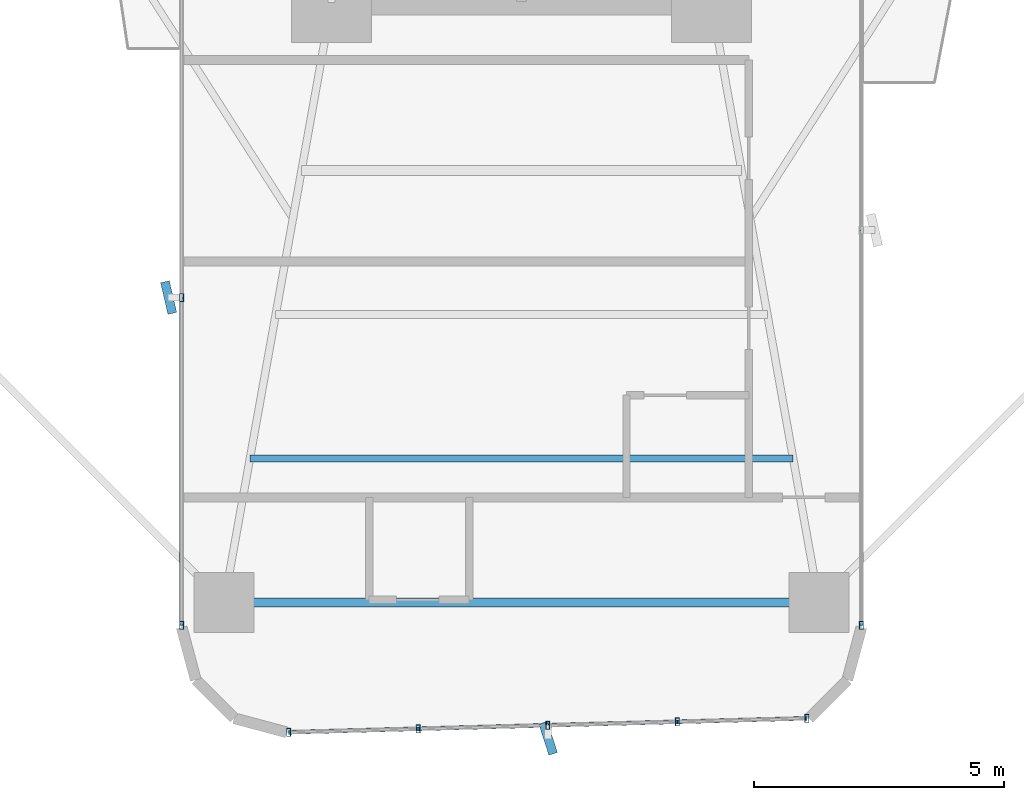
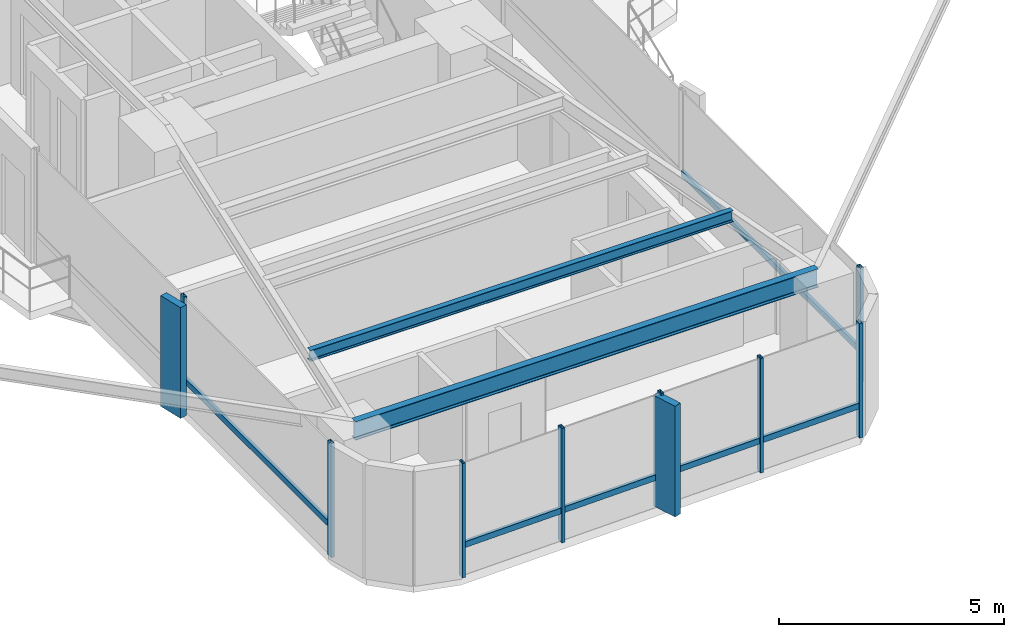
# One storey, part 2 of 26: 16 members, 2 beams, 3 elements without a shape of their own.
"""IFC4 building model written with IfcOpenShell, lengths in metres."""

from ifc_helpers import new_model, si_unit, direction, frame, origin, origin_2d, place, context, subcontext, project, spatial, rectangle, hollow_rectangle, i_section, extrude, source, transform, mapped, material, material_profile, profile_set, type_object, element, aggregate, save


model = new_model("IFC4")

# Units and contexts
model_context = context("Model", 3, precision=1e-05, world=origin(), true_north=direction((0.0, 1.0)))
body_context = subcontext(model_context, "Body", "Model", "MODEL_VIEW")
ifc_project = project(units=[si_unit("LENGTHUNIT", "METRE"), si_unit("AREAUNIT", "SQUARE_METRE"), si_unit("VOLUMEUNIT", "CUBIC_METRE"), si_unit("PLANEANGLEUNIT", "RADIAN"), si_unit("MASSUNIT", "GRAM", prefix="KILO")], contexts=[model_context])

# Site, building, storey
site_placement = place(None, origin())
site = spatial("IfcSite", under=ifc_project, at=site_placement, CompositionType="ELEMENT")
building_placement = place(site_placement, origin())
building = spatial("IfcBuilding", under=site, at=building_placement, Name="Sahyath Konkavel Grand Hotel", CompositionType="ELEMENT")
storey_placement = place(building_placement, frame((0.0, 0.0, 29.800048828125)))
storey = spatial("IfcBuildingStorey", under=building, at=storey_placement, Name="L07", CompositionType="ELEMENT", Elevation=29.800048828125)

# Beams
ifc_material_1 = material(Name="Steel E350", Category="steel")
ifc_material_profile_1 = material_profile(ifc_material_1, i_section(OverallWidth=0.179931640625, OverallDepth=0.5, WebThickness=0.01025390625, FlangeThickness=0.01708984375, FilletRadius=0.01708984375, at=origin_2d()), Name="ISMB 500")
ifc_profile_set_1 = profile_set([ifc_material_profile_1], Name="Steel E350")
beam_type_1 = type_object("IfcBeamType", Name="BM-ISMB500", PredefinedType="BEAM", material=ifc_profile_set_1)
shared_shape_1 = source(origin(), body_context, "Body", "SweptSolid", [
    extrude(i_section(OverallWidth=0.179931640625, OverallDepth=0.5, WebThickness=0.01025390625, FlangeThickness=0.01708984375, FilletRadius=0.01708984375, at=origin_2d()), origin(), (0.0, 0.0, 1.0), 11.89990234375),
])
beam_1_placement = place(storey_placement, frame((-5.949951171875, -22.199951171875, 2.85986328125), z_axis=(1.0, 0.0, 0.0), x_axis=(0.0, 1.0, 0.0)))
element("IfcBeam", 1, at=beam_1_placement, inside=storey, type_object=beam_type_1, Name="L07 Wing Tip Edge Beam S", PredefinedType="BEAM", context=body_context, shape_type="MappedRepresentation", body=[
    mapped(shared_shape_1, transform((0.0, 0.0, 0.0), scale=1.0)),
])
ifc_material_profile_2 = material_profile(ifc_material_1, i_section(OverallWidth=0.139892578125, OverallDepth=0.300048828125, WebThickness=0.0078125, FlangeThickness=0.01318359375, FilletRadius=0.013916015625, at=origin_2d()), Name="ISMB 300")
ifc_profile_set_2 = profile_set([ifc_material_profile_2], Name="Steel E350")
beam_type_2 = type_object("IfcBeamType", Name="BM-ISMB300", PredefinedType="BEAM", material=ifc_profile_set_2)
shared_shape_2 = source(origin(), body_context, "Body", "SweptSolid", [
    extrude(i_section(OverallWidth=0.139892578125, OverallDepth=0.300048828125, WebThickness=0.0078125, FlangeThickness=0.01318359375, FilletRadius=0.013916015625, at=origin_2d()), origin(), (0.0, 0.0, 1.0), 10.8681640625),
])
beam_2_placement = place(storey_placement, frame((-5.43408203125, -19.320068359375, 2.9599609375), z_axis=(1.0, 0.0, 0.0), x_axis=(0.0, 1.0, 0.0)))
element("IfcBeam", 2, at=beam_2_placement, inside=storey, type_object=beam_type_2, Name="L07 Secondary Floor Beam S-3", PredefinedType="BEAM", context=body_context, shape_type="MappedRepresentation", body=[
    mapped(shared_shape_2, transform((0.0, 0.0, 0.0), scale=1.0)),
])

# Curtain wall, members
ifc_material_2 = material(Name="Anodised Bronze Aluminium & Low-E Glazing", Category="aluminium")
curtain_wall_type = type_object("IfcCurtainWallType", Name="CW-ZONE1", PredefinedType="NOTDEFINED", material=ifc_material_2)
curtain_wall_1_placement = place(storey_placement, origin())
curtain_wall_1 = element("IfcCurtainWall", 3, at=curtain_wall_1_placement, inside=storey, type_object=curtain_wall_type, Name="L07 Unitised Curtain Wall F24", PredefinedType="NOTDEFINED")
ifc_material_3 = material(Name="Anodised Bronze Aluminium", Category="aluminium")
ifc_material_profile_3 = material_profile(ifc_material_3, hollow_rectangle(XDim=0.080078125, YDim=0.159912109375, WallThickness=0.006103515625, at=origin_2d()), Name="RHS 160x80x6")
ifc_profile_set_3 = profile_set([ifc_material_profile_3], Name="Anodised Bronze Aluminium")
member_type_1 = type_object("IfcMemberType", Name="CW-MUL-160", PredefinedType="MULLION", material=ifc_profile_set_3)
shared_shape_3 = source(origin(), body_context, "Body", "SweptSolid", [
    extrude(hollow_rectangle(XDim=0.080078125, YDim=0.159912109375, WallThickness=0.006103515625, at=origin_2d()), origin(), (0.0, 0.0, 1.0), 3.10986328125),
])
member_1_placement = place(storey_placement, frame((-6.800048828125, -16.10009765625, 0.0), z_axis=(0.0, 0.0, 1.0), x_axis=(1.0, 0.0, 0.0)))
member_1 = element("IfcMember", 4, at=member_1_placement, type_object=member_type_1, Name="L07 Curtain Wall Mullion F24-1", PredefinedType="MULLION", context=body_context, shape_type="MappedRepresentation", body=[
    mapped(shared_shape_3, transform((0.0, 0.0, 0.0), scale=1.0)),
])
member_2_placement = place(storey_placement, frame((-6.800048828125, -22.659912109375, 0.0), z_axis=(0.0, 0.0, 1.0), x_axis=(1.0, 0.0, 0.0)))
member_2 = element("IfcMember", 5, at=member_2_placement, type_object=member_type_1, Name="L07 Curtain Wall Mullion F24-2", PredefinedType="MULLION", context=body_context, shape_type="MappedRepresentation", body=[
    mapped(shared_shape_3, transform((0.0, 0.0, 0.0), scale=1.0)),
])

curtain_wall_2_placement = place(storey_placement, origin())
curtain_wall_2 = element("IfcCurtainWall", 6, at=curtain_wall_2_placement, inside=storey, type_object=curtain_wall_type, Name="L07 Unitised Curtain Wall F28", PredefinedType="NOTDEFINED")
member_3_placement = place(storey_placement, frame((-4.659912109375, -24.798828125, 0.0), z_axis=(0.0, 0.0, 1.0), x_axis=(1.0, 0.0, 0.0)))
member_3 = element("IfcMember", 7, at=member_3_placement, type_object=member_type_1, Name="L07 Curtain Wall Mullion F28-0", PredefinedType="MULLION", context=body_context, shape_type="MappedRepresentation", body=[
    mapped(shared_shape_3, transform((0.0, 0.0, 0.0), scale=1.0)),
])
member_4_placement = place(storey_placement, frame((-2.0673828125, -24.72900390625, 0.0), z_axis=(0.0, 0.0, 1.0), x_axis=(1.0, 0.0, 0.0)))
member_4 = element("IfcMember", 8, at=member_4_placement, type_object=member_type_1, Name="L07 Curtain Wall Mullion F28-1", PredefinedType="MULLION", context=body_context, shape_type="MappedRepresentation", body=[
    mapped(shared_shape_3, transform((0.0, 0.0, 0.0), scale=1.0)),
])
member_5_placement = place(storey_placement, frame((0.52490234375, -24.6591796875, 0.0), z_axis=(0.0, 0.0, 1.0), x_axis=(1.0, 0.0, 0.0)))
member_5 = element("IfcMember", 9, at=member_5_placement, type_object=member_type_1, Name="L07 Curtain Wall Mullion F28-2", PredefinedType="MULLION", context=body_context, shape_type="MappedRepresentation", body=[
    mapped(shared_shape_3, transform((0.0, 0.0, 0.0), scale=1.0)),
])
member_6_placement = place(storey_placement, frame((3.117431640625, -24.589599609375, 0.0), z_axis=(0.0, 0.0, 1.0), x_axis=(1.0, 0.0, 0.0)))
member_6 = element("IfcMember", 10, at=member_6_placement, type_object=member_type_1, Name="L07 Curtain Wall Mullion F28-3", PredefinedType="MULLION", context=body_context, shape_type="MappedRepresentation", body=[
    mapped(shared_shape_3, transform((0.0, 0.0, 0.0), scale=1.0)),
])
member_7_placement = place(storey_placement, frame((5.7099609375, -24.519775390625, 0.0), z_axis=(0.0, 0.0, 1.0), x_axis=(1.0, 0.0, 0.0)))
member_7 = element("IfcMember", 11, at=member_7_placement, type_object=member_type_1, Name="L07 Curtain Wall Mullion F28-4", PredefinedType="MULLION", context=body_context, shape_type="MappedRepresentation", body=[
    mapped(shared_shape_3, transform((0.0, 0.0, 0.0), scale=1.0)),
])

# Curtain wall, member
curtain_wall_3_placement = place(storey_placement, origin())
curtain_wall_3 = element("IfcCurtainWall", 12, at=curtain_wall_3_placement, inside=storey, type_object=curtain_wall_type, Name="L07 Unitised Curtain Wall F31", PredefinedType="NOTDEFINED")
member_8_placement = place(storey_placement, frame((6.800048828125, -22.659912109375, 0.0), z_axis=(0.0, 0.0, 1.0), x_axis=(1.0, 0.0, 0.0)))
member_8 = element("IfcMember", 13, at=member_8_placement, type_object=member_type_1, Name="L07 Curtain Wall Mullion F31-0", PredefinedType="MULLION", context=body_context, shape_type="MappedRepresentation", body=[
    mapped(shared_shape_3, transform((0.0, 0.0, 0.0), scale=1.0)),
])

# Member
ifc_material_4 = material(Name="Warm Buff Sandstone Cladding on Concrete C50/60", Category="masonry")
ifc_material_profile_4 = material_profile(ifc_material_4, rectangle(XDim=0.179931640625, YDim=0.64990234375, at=origin_2d()), Name="FIN 180x650")
ifc_profile_set_4 = profile_set([ifc_material_profile_4], Name="Warm Buff Sandstone Cladding on Concrete C50/60")
member_type_2 = type_object("IfcMemberType", Name="FIN-SANDSTONE-650", PredefinedType="MULLION", material=ifc_profile_set_4)
shared_shape_4 = source(origin(), body_context, "Body", "SweptSolid", [
    extrude(rectangle(XDim=0.179931640625, YDim=0.64990234375, at=origin_2d()), origin(), (0.0, 0.0, 1.0), 3.010009765625),
])
member_9_placement = place(storey_placement, frame((-7.06005859375, -16.10009765625, 0.050048828125), z_axis=(0.0, 0.0, 1.0), x_axis=(0.973896791711, 0.226991275371, 0.0)))
member_9 = element("IfcMember", 14, at=member_9_placement, type_object=member_type_2, Name="L07 Sandstone Vertical Solar Fin FIN F24-1", PredefinedType="MULLION", context=body_context, shape_type="MappedRepresentation", body=[
    mapped(shared_shape_4, transform((0.0, 0.0, 0.0), scale=1.0)),
])

member_10_placement = place(storey_placement, frame((0.531982421875, -24.919189453125, 0.050048828125), z_axis=(0.0, 0.0, 1.0), x_axis=(0.951110435449, 0.308850998993, 0.0)))
member_10 = element("IfcMember", 15, at=member_10_placement, type_object=member_type_2, Name="L07 Sandstone Vertical Solar Fin FIN F28-2", PredefinedType="MULLION", context=body_context, shape_type="MappedRepresentation", body=[
    mapped(shared_shape_4, transform((0.0, 0.0, 0.0), scale=1.0)),
])

ifc_material_profile_5 = material_profile(ifc_material_3, hollow_rectangle(XDim=0.080078125, YDim=0.159912109375, WallThickness=0.006103515625, at=origin_2d()), Name="RHS 160x80x6")
ifc_profile_set_5 = profile_set([ifc_material_profile_5], Name="Anodised Bronze Aluminium")
member_type_3 = type_object("IfcMemberType", Name="CW-TRN-160", PredefinedType="USERDEFINED", material=ifc_profile_set_5)
shared_shape_5 = source(origin(), body_context, "Body", "SweptSolid", [
    extrude(hollow_rectangle(XDim=0.080078125, YDim=0.159912109375, WallThickness=0.006103515625, at=origin_2d()), origin(), (0.0, 0.0, 1.0), 7.909912109375),
])
member_11_placement = place(storey_placement, frame((6.800048828125, -22.659912109375, 0.849853515625), z_axis=(0.0, 1.0, 0.0), x_axis=(-1.0, 0.0, 0.0)))
member_11 = element("IfcMember", 16, at=member_11_placement, type_object=member_type_3, Name="L07 Curtain Wall Transom F31-0-spandrel", ObjectType="TRANSOM", PredefinedType="USERDEFINED", context=body_context, shape_type="MappedRepresentation", body=[
    mapped(shared_shape_5, transform((0.0, 0.0, 0.0), scale=1.0)),
])

aggregate(curtain_wall_3, [member_8, member_11])

shared_shape_6 = source(origin(), body_context, "Body", "SweptSolid", [
    extrude(hollow_rectangle(XDim=0.080078125, YDim=0.159912109375, WallThickness=0.006103515625, at=origin_2d()), origin(), (0.0, 0.0, 1.0), 2.593505859375),
])
member_12_placement = place(storey_placement, frame((-4.659912109375, -24.798828125, 0.849853515625), z_axis=(0.999637507825, 0.026923093252, 0.0), x_axis=(-0.026923093252, 0.999637507825, 0.0)))
member_12 = element("IfcMember", 17, at=member_12_placement, type_object=member_type_3, Name="L07 Curtain Wall Transom F28-0-spandrel", ObjectType="TRANSOM", PredefinedType="USERDEFINED", context=body_context, shape_type="MappedRepresentation", body=[
    mapped(shared_shape_6, transform((0.0, 0.0, 0.0), scale=1.0)),
])

member_13_placement = place(storey_placement, frame((0.52490234375, -24.6591796875, 0.849853515625), z_axis=(0.999640036937, 0.02682902444, 0.0), x_axis=(-0.02682902444, 0.999640036937, 0.0)))
member_13 = element("IfcMember", 18, at=member_13_placement, type_object=member_type_3, Name="L07 Curtain Wall Transom F28-2-spandrel", ObjectType="TRANSOM", PredefinedType="USERDEFINED", context=body_context, shape_type="MappedRepresentation", body=[
    mapped(shared_shape_6, transform((0.0, 0.0, 0.0), scale=1.0)),
])

member_14_placement = place(storey_placement, frame((3.117431640625, -24.589599609375, 0.849853515625), z_axis=(0.999637507825, 0.026923093252, 0.0), x_axis=(-0.026923093252, 0.999637507825, 0.0)))
member_14 = element("IfcMember", 19, at=member_14_placement, type_object=member_type_3, Name="L07 Curtain Wall Transom F28-3-spandrel", ObjectType="TRANSOM", PredefinedType="USERDEFINED", context=body_context, shape_type="MappedRepresentation", body=[
    mapped(shared_shape_6, transform((0.0, 0.0, 0.0), scale=1.0)),
])

shared_shape_7 = source(origin(), body_context, "Body", "SweptSolid", [
    extrude(hollow_rectangle(XDim=0.080078125, YDim=0.159912109375, WallThickness=0.006103515625, at=origin_2d()), origin(), (0.0, 0.0, 1.0), 2.59326171875),
])
member_15_placement = place(storey_placement, frame((-2.0673828125, -24.72900390625, 0.849853515625), z_axis=(0.99963743958, 0.026925627022, 0.0), x_axis=(-0.026925627022, 0.99963743958, 0.0)))
member_15 = element("IfcMember", 20, at=member_15_placement, type_object=member_type_3, Name="L07 Curtain Wall Transom F28-1-spandrel", ObjectType="TRANSOM", PredefinedType="USERDEFINED", context=body_context, shape_type="MappedRepresentation", body=[
    mapped(shared_shape_7, transform((0.0, 0.0, 0.0), scale=1.0)),
])

aggregate(curtain_wall_2, [member_3, member_4, member_5, member_10, member_6, member_7, member_12, member_15, member_13, member_14])

shared_shape_8 = source(origin(), body_context, "Body", "SweptSolid", [
    extrude(hollow_rectangle(XDim=0.080078125, YDim=0.159912109375, WallThickness=0.006103515625, at=origin_2d()), origin(), (0.0, 0.0, 1.0), 6.559814453125),
])
member_16_placement = place(storey_placement, frame((-6.800048828125, -16.10009765625, 0.849853515625), z_axis=(0.0, -1.0, 0.0), x_axis=(1.0, 0.0, 0.0)))
member_16 = element("IfcMember", 21, at=member_16_placement, type_object=member_type_3, Name="L07 Curtain Wall Transom F24-1-spandrel", ObjectType="TRANSOM", PredefinedType="USERDEFINED", context=body_context, shape_type="MappedRepresentation", body=[
    mapped(shared_shape_8, transform((0.0, 0.0, 0.0), scale=1.0)),
])

aggregate(curtain_wall_1, [member_1, member_9, member_2, member_16])

save(model, "model.ifc")
